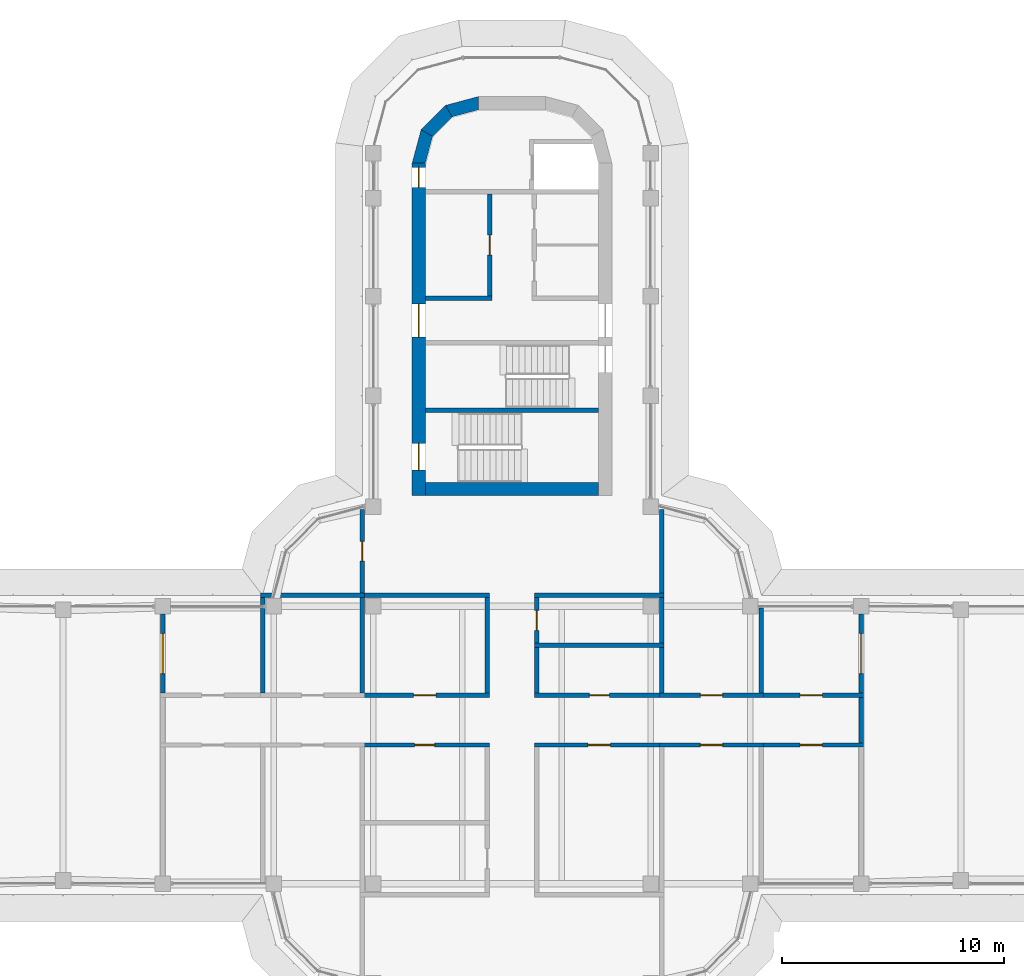
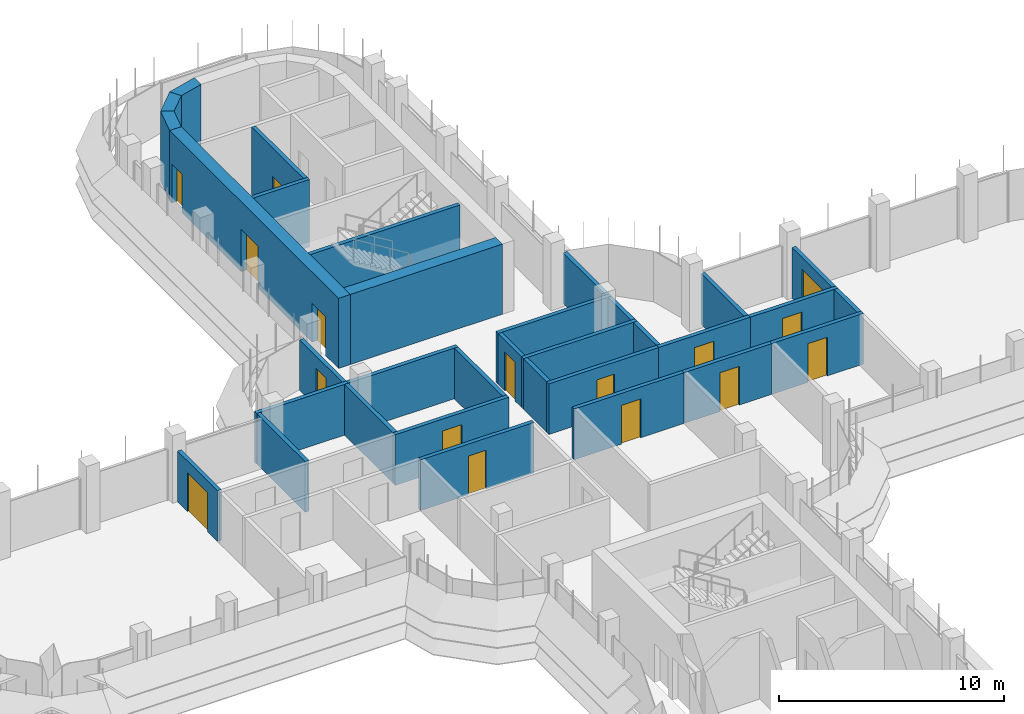
# One storey, part 14 of 18: 33 walls, 16 doors, 16 openings.
"""IFC4 building model written with IfcOpenShell, lengths in metres."""

from ifc_helpers import new_model, si_unit, direction, frame, frame_2d, origin, place, context, subcontext, project, spatial, polyline, rectangle, outline, extrude, material, layer, layer_set, type_object, element, fill, save


model = new_model("IFC4")

# Units and contexts
model_context = context("Model", 3, precision=1e-05, world=origin(), true_north=direction((0.0, 1.0)))
body_context = subcontext(model_context, "Body", "Model", "MODEL_VIEW")
ifc_project = project(units=[si_unit("LENGTHUNIT", "METRE"), si_unit("AREAUNIT", "SQUARE_METRE"), si_unit("VOLUMEUNIT", "CUBIC_METRE"), si_unit("PLANEANGLEUNIT", "RADIAN"), si_unit("MASSUNIT", "GRAM", prefix="KILO")], contexts=[model_context])

# Site, building, storey
site_placement = place(None, origin())
site = spatial("IfcSite", under=ifc_project, at=site_placement, CompositionType="ELEMENT")
building_placement = place(site_placement, origin())
building = spatial("IfcBuilding", under=site, at=building_placement, Name="Zarbagh Exchange Tower", CompositionType="ELEMENT")
storey_placement = place(building_placement, frame((0.0, 0.0, 214.39990234375)))
storey = spatial("IfcBuildingStorey", under=building, at=storey_placement, Name="L52", CompositionType="ELEMENT", Elevation=214.39990234375)

# Wall, opening, door
ifc_material_1 = material(Name="Fire-rated plasterboard partition")
ifc_layer_1 = layer(ifc_material_1, 0.199951171875)
ifc_layer_set_1 = layer_set([ifc_layer_1], Name="RATED PARTITION 200")
wall_type_1 = type_object("IfcWallType", Name="RATED PARTITION 200", PredefinedType="PARTITIONING", material=ifc_layer_set_1)
wall_1_placement = place(storey_placement, frame((1.02490234375, 2.25, 0.0), z_axis=(0.0, 0.0, 1.0), x_axis=(1.0, 0.0, 0.0)))
wall_1 = element("IfcWall", 1, at=wall_1_placement, inside=storey, type_object=wall_type_1, Name="Partition W-2201", PredefinedType="PARTITIONING", context=body_context, shape_type="SweptSolid", body=[
    extrude(rectangle(XDim=5.8251953125, YDim=0.199951171875, at=frame_2d((2.91259765625, 0.0))), origin(), (0.0, 0.0, 1.0), 2.75),
])
opening_1_placement = place(wall_1_placement, frame((2.46240234375, 0.0, 0.0)))
opening_1 = element("IfcOpeningElement", 2, at=opening_1_placement, cuts=wall_1, Name="Opening D-2205", PredefinedType="OPENING", context=body_context, shape_type="SweptSolid", body=[
    extrude(rectangle(XDim=0.89990234375, YDim=2.10009765625, at=frame_2d((0.449951171875, 1.050048828125))), frame((0.0, 0.10986328125, 0.0), z_axis=(0.0, -1.0, 0.0), x_axis=(1.0, 0.0, 0.0)), (0.0, 0.0, 1.0), 0.219970703125),
])
ifc_material_2 = material(Name="Timber door leaf", Category="wood")
door_type_1 = type_object("IfcDoorType", Name="DOOR 900 X 2100", OperationType="NOTDEFINED", PredefinedType="DOOR", material=ifc_material_2)
door_1_placement = place(opening_1_placement, origin())
door_1 = element("IfcDoor", 3, at=door_1_placement, inside=storey, type_object=door_type_1, Name="Door D-2205", OperationType="SINGLE_SWING_RIGHT", OverallHeight=2.10009765625, OverallWidth=0.89990234375, PredefinedType="DOOR", context=body_context, shape_type="SweptSolid", body=[
    extrude(rectangle(XDim=0.89990234375, YDim=2.10009765625, at=frame_2d((0.449951171875, 1.050048828125))), frame((0.0, 0.02490234375, 0.0), z_axis=(0.0, -1.0, 0.0), x_axis=(1.0, 0.0, 0.0)), (0.0, 0.0, 1.0), 0.050048828125),
])
fill(opening_1, door_1)

wall_2_placement = place(storey_placement, frame((6.64990234375, 2.25, 0.0), z_axis=(0.0, 0.0, 1.0), x_axis=(1.0, 0.0, 0.0)))
wall_2 = element("IfcWall", 4, at=wall_2_placement, inside=storey, type_object=wall_type_1, Name="Partition W-2202", PredefinedType="PARTITIONING", context=body_context, shape_type="SweptSolid", body=[
    extrude(rectangle(XDim=4.7001953125, YDim=0.199951171875, at=frame_2d((2.35009765625, 0.0))), origin(), (0.0, 0.0, 1.0), 2.75),
])
opening_2_placement = place(wall_2_placement, frame((1.85009765625, 0.0, 0.0)))
opening_2 = element("IfcOpeningElement", 5, at=opening_2_placement, cuts=wall_2, Name="Opening D-2207", PredefinedType="OPENING", context=body_context, shape_type="SweptSolid", body=[
    extrude(rectangle(XDim=1.0, YDim=2.10009765625, at=frame_2d((0.5, 1.050048828125))), frame((0.0, 0.10986328125, 0.0), z_axis=(0.0, -1.0, 0.0), x_axis=(1.0, 0.0, 0.0)), (0.0, 0.0, 1.0), 0.219970703125),
])
ifc_material_3 = material(Name="Steel door set", Category="steel")
door_type_2 = type_object("IfcDoorType", Name="FIRE DOOR 1000 X 2100 FD30S", OperationType="NOTDEFINED", PredefinedType="DOOR", material=ifc_material_3)
door_2_placement = place(opening_2_placement, origin())
door_2 = element("IfcDoor", 6, at=door_2_placement, inside=storey, type_object=door_type_2, Name="Door D-2207", OperationType="SINGLE_SWING_RIGHT", OverallHeight=2.10009765625, OverallWidth=1.0, PredefinedType="DOOR", context=body_context, shape_type="SweptSolid", body=[
    extrude(rectangle(XDim=1.0, YDim=2.10009765625, at=frame_2d((0.5, 1.050048828125))), frame((0.0, 0.02490234375, 0.0), z_axis=(0.0, -1.0, 0.0), x_axis=(1.0, 0.0, 0.0)), (0.0, 0.0, 1.0), 0.050048828125),
])
fill(opening_2, door_2)

wall_3_placement = place(storey_placement, frame((-6.85009765625, 2.25, 0.0), z_axis=(0.0, 0.0, 1.0), x_axis=(1.0, 0.0, 0.0)))
wall_3 = element("IfcWall", 7, at=wall_3_placement, inside=storey, type_object=wall_type_1, Name="Partition W-2203", PredefinedType="PARTITIONING", context=body_context, shape_type="SweptSolid", body=[
    extrude(rectangle(XDim=5.8251953125, YDim=0.199951171875, at=frame_2d((2.91259765625, 0.0))), origin(), (0.0, 0.0, 1.0), 2.75),
])
opening_3_placement = place(wall_3_placement, frame((2.41259765625, 0.0, 0.0)))
opening_3 = element("IfcOpeningElement", 8, at=opening_3_placement, cuts=wall_3, Name="Opening D-2208", PredefinedType="OPENING", context=body_context, shape_type="SweptSolid", body=[
    extrude(rectangle(XDim=1.0, YDim=2.10009765625, at=frame_2d((0.5, 1.050048828125))), frame((0.0, 0.10986328125, 0.0), z_axis=(0.0, -1.0, 0.0), x_axis=(1.0, 0.0, 0.0)), (0.0, 0.0, 1.0), 0.219970703125),
])
door_3_placement = place(opening_3_placement, origin())
door_3 = element("IfcDoor", 9, at=door_3_placement, inside=storey, type_object=door_type_2, Name="Door D-2208", OperationType="SINGLE_SWING_RIGHT", OverallHeight=2.10009765625, OverallWidth=1.0, PredefinedType="DOOR", context=body_context, shape_type="SweptSolid", body=[
    extrude(rectangle(XDim=1.0, YDim=2.10009765625, at=frame_2d((0.5, 1.050048828125))), frame((0.0, 0.02490234375, 0.0), z_axis=(0.0, -1.0, 0.0), x_axis=(1.0, 0.0, 0.0)), (0.0, 0.0, 1.0), 0.050048828125),
])
fill(opening_3, door_3)

wall_4_placement = place(storey_placement, frame((6.85009765625, 0.0, 0.0), z_axis=(0.0, 0.0, 1.0), x_axis=(-1.0, 0.0, 0.0)))
wall_4 = element("IfcWall", 10, at=wall_4_placement, inside=storey, type_object=wall_type_1, Name="Partition W-2205", PredefinedType="PARTITIONING", context=body_context, shape_type="SweptSolid", body=[
    extrude(rectangle(XDim=5.8251953125, YDim=0.199951171875, at=frame_2d((2.91259765625, 0.0))), origin(), (0.0, 0.0, 1.0), 2.75),
])
opening_4_placement = place(wall_4_placement, frame((2.41259765625, 0.0, 0.0)))
opening_4 = element("IfcOpeningElement", 11, at=opening_4_placement, cuts=wall_4, Name="Opening D-2211", PredefinedType="OPENING", context=body_context, shape_type="SweptSolid", body=[
    extrude(rectangle(XDim=1.0, YDim=2.10009765625, at=frame_2d((0.5, 1.050048828125))), frame((0.0, 0.10986328125, 0.0), z_axis=(0.0, -1.0, 0.0), x_axis=(1.0, 0.0, 0.0)), (0.0, 0.0, 1.0), 0.219970703125),
])
door_4_placement = place(opening_4_placement, origin())
door_4 = element("IfcDoor", 12, at=door_4_placement, inside=storey, type_object=door_type_2, Name="Door D-2211", OperationType="SINGLE_SWING_RIGHT", OverallHeight=2.10009765625, OverallWidth=1.0, PredefinedType="DOOR", context=body_context, shape_type="SweptSolid", body=[
    extrude(rectangle(XDim=1.0, YDim=2.10009765625, at=frame_2d((0.5, 1.050048828125))), frame((0.0, 0.02490234375, 0.0), z_axis=(0.0, -1.0, 0.0), x_axis=(1.0, 0.0, 0.0)), (0.0, 0.0, 1.0), 0.050048828125),
])
fill(opening_4, door_4)

wall_5_placement = place(storey_placement, frame((11.35009765625, 0.0, 0.0), z_axis=(0.0, 0.0, 1.0), x_axis=(-1.0, 0.0, 0.0)))
wall_5 = element("IfcWall", 13, at=wall_5_placement, inside=storey, type_object=wall_type_1, Name="Partition W-2206", PredefinedType="PARTITIONING", context=body_context, shape_type="SweptSolid", body=[
    extrude(rectangle(XDim=4.7001953125, YDim=0.199951171875, at=frame_2d((2.35009765625, 0.0))), origin(), (0.0, 0.0, 1.0), 2.75),
])
opening_5_placement = place(wall_5_placement, frame((1.85009765625, 0.0, 0.0)))
opening_5 = element("IfcOpeningElement", 14, at=opening_5_placement, cuts=wall_5, Name="Opening D-2212", PredefinedType="OPENING", context=body_context, shape_type="SweptSolid", body=[
    extrude(rectangle(XDim=1.0, YDim=2.10009765625, at=frame_2d((0.5, 1.050048828125))), frame((0.0, 0.10986328125, 0.0), z_axis=(0.0, -1.0, 0.0), x_axis=(1.0, 0.0, 0.0)), (0.0, 0.0, 1.0), 0.219970703125),
])
door_5_placement = place(opening_5_placement, origin())
door_5 = element("IfcDoor", 15, at=door_5_placement, inside=storey, type_object=door_type_2, Name="Door D-2212", OperationType="SINGLE_SWING_RIGHT", OverallHeight=2.10009765625, OverallWidth=1.0, PredefinedType="DOOR", context=body_context, shape_type="SweptSolid", body=[
    extrude(rectangle(XDim=1.0, YDim=2.10009765625, at=frame_2d((0.5, 1.050048828125))), frame((0.0, 0.02490234375, 0.0), z_axis=(0.0, -1.0, 0.0), x_axis=(1.0, 0.0, 0.0)), (0.0, 0.0, 1.0), 0.050048828125),
])
fill(opening_5, door_5)

wall_6_placement = place(storey_placement, frame((-1.02490234375, 0.0, 0.0), z_axis=(0.0, 0.0, 1.0), x_axis=(-1.0, 0.0, 0.0)))
wall_6 = element("IfcWall", 16, at=wall_6_placement, inside=storey, type_object=wall_type_1, Name="Partition W-2207", PredefinedType="PARTITIONING", context=body_context, shape_type="SweptSolid", body=[
    extrude(rectangle(XDim=5.8251953125, YDim=0.199951171875, at=frame_2d((2.91259765625, 0.0))), origin(), (0.0, 0.0, 1.0), 2.75),
])
opening_6_placement = place(wall_6_placement, frame((2.46240234375, 0.0, 0.0)))
opening_6 = element("IfcOpeningElement", 17, at=opening_6_placement, cuts=wall_6, Name="Opening D-2213", PredefinedType="OPENING", context=body_context, shape_type="SweptSolid", body=[
    extrude(rectangle(XDim=0.89990234375, YDim=2.10009765625, at=frame_2d((0.449951171875, 1.050048828125))), frame((0.0, 0.10986328125, 0.0), z_axis=(0.0, -1.0, 0.0), x_axis=(1.0, 0.0, 0.0)), (0.0, 0.0, 1.0), 0.219970703125),
])
door_6_placement = place(opening_6_placement, origin())
door_6 = element("IfcDoor", 18, at=door_6_placement, inside=storey, type_object=door_type_1, Name="Door D-2213", OperationType="SINGLE_SWING_RIGHT", OverallHeight=2.10009765625, OverallWidth=0.89990234375, PredefinedType="DOOR", context=body_context, shape_type="SweptSolid", body=[
    extrude(rectangle(XDim=0.89990234375, YDim=2.10009765625, at=frame_2d((0.449951171875, 1.050048828125))), frame((0.0, 0.02490234375, 0.0), z_axis=(0.0, -1.0, 0.0), x_axis=(1.0, 0.0, 0.0)), (0.0, 0.0, 1.0), 0.050048828125),
])
fill(opening_6, door_6)

wall_7_placement = place(storey_placement, frame((11.14990234375, 2.25, 0.0), z_axis=(0.0, 0.0, 1.0), x_axis=(1.0, 0.0, 0.0)))
wall_7 = element("IfcWall", 19, at=wall_7_placement, inside=storey, type_object=wall_type_1, Name="Partition W-2209", PredefinedType="PARTITIONING", context=body_context, shape_type="SweptSolid", body=[
    extrude(rectangle(XDim=4.7001953125, YDim=0.199951171875, at=frame_2d((2.35009765625, 0.0))), origin(), (0.0, 0.0, 1.0), 2.75),
])
opening_7_placement = place(wall_7_placement, frame((1.85009765625, 0.0, 0.0)))
opening_7 = element("IfcOpeningElement", 20, at=opening_7_placement, cuts=wall_7, Name="Opening D-2203", PredefinedType="OPENING", context=body_context, shape_type="SweptSolid", body=[
    extrude(rectangle(XDim=1.0, YDim=2.10009765625, at=frame_2d((0.5, 1.050048828125))), frame((0.0, 0.10986328125, 0.0), z_axis=(0.0, -1.0, 0.0), x_axis=(1.0, 0.0, 0.0)), (0.0, 0.0, 1.0), 0.219970703125),
])
door_7_placement = place(opening_7_placement, origin())
door_7 = element("IfcDoor", 21, at=door_7_placement, inside=storey, type_object=door_type_2, Name="Door D-2203", OperationType="SINGLE_SWING_RIGHT", OverallHeight=2.10009765625, OverallWidth=1.0, PredefinedType="DOOR", context=body_context, shape_type="SweptSolid", body=[
    extrude(rectangle(XDim=1.0, YDim=2.10009765625, at=frame_2d((0.5, 1.050048828125))), frame((0.0, 0.02490234375, 0.0), z_axis=(0.0, -1.0, 0.0), x_axis=(1.0, 0.0, 0.0)), (0.0, 0.0, 1.0), 0.050048828125),
])
fill(opening_7, door_7)

wall_8_placement = place(storey_placement, frame((15.85009765625, 0.0, 0.0), z_axis=(0.0, 0.0, 1.0), x_axis=(-1.0, 0.0, 0.0)))
wall_8 = element("IfcWall", 22, at=wall_8_placement, inside=storey, type_object=wall_type_1, Name="Partition W-2210", PredefinedType="PARTITIONING", context=body_context, shape_type="SweptSolid", body=[
    extrude(rectangle(XDim=4.7001953125, YDim=0.199951171875, at=frame_2d((2.35009765625, 0.0))), origin(), (0.0, 0.0, 1.0), 2.75),
])
opening_8_placement = place(wall_8_placement, frame((1.85009765625, 0.0, 0.0)))
opening_8 = element("IfcOpeningElement", 23, at=opening_8_placement, cuts=wall_8, Name="Opening D-2204", PredefinedType="OPENING", context=body_context, shape_type="SweptSolid", body=[
    extrude(rectangle(XDim=1.0, YDim=2.10009765625, at=frame_2d((0.5, 1.050048828125))), frame((0.0, 0.10986328125, 0.0), z_axis=(0.0, -1.0, 0.0), x_axis=(1.0, 0.0, 0.0)), (0.0, 0.0, 1.0), 0.219970703125),
])
door_8_placement = place(opening_8_placement, origin())
door_8 = element("IfcDoor", 24, at=door_8_placement, inside=storey, type_object=door_type_2, Name="Door D-2204", OperationType="SINGLE_SWING_RIGHT", OverallHeight=2.10009765625, OverallWidth=1.0, PredefinedType="DOOR", context=body_context, shape_type="SweptSolid", body=[
    extrude(rectangle(XDim=1.0, YDim=2.10009765625, at=frame_2d((0.5, 1.050048828125))), frame((0.0, 0.02490234375, 0.0), z_axis=(0.0, -1.0, 0.0), x_axis=(1.0, 0.0, 0.0)), (0.0, 0.0, 1.0), 0.050048828125),
])
fill(opening_8, door_8)

# Walls
for number, where, z_axis, x_axis, name in (
    (25, (15.75, 0.10009765625, 0.0), (0.0, 0.0, 1.0), (0.0, 1.0, 0.0), "Partition W-2211"),
    (26, (1.125, 2.35009765625, 0.0), (0.0, 0.0, 1.0), (0.0, 1.0, 0.0), "Partition W-2215"),
):
    element("IfcWall", number, at=place(storey_placement, frame(where, z_axis=z_axis, x_axis=x_axis)), inside=storey, type_object=wall_type_1, Name=name, PredefinedType="PARTITIONING", context=body_context, shape_type="SweptSolid", body=[
        extrude(rectangle(XDim=2.0498046875, YDim=0.199951171875, at=frame_2d((1.02490234375, 0.0))), origin(), (0.0, 0.0, 1.0), 2.75),
    ])

# Wall, opening, door
wall_9_placement = place(storey_placement, frame((1.125, 6.64990234375, 0.0), z_axis=(0.0, 0.0, 1.0), x_axis=(0.0, -1.0, 0.0)))
wall_9 = element("IfcWall", 27, at=wall_9_placement, inside=storey, type_object=wall_type_1, Name="Partition W-2216", PredefinedType="PARTITIONING", context=body_context, shape_type="SweptSolid", body=[
    extrude(rectangle(XDim=2.0498046875, YDim=0.199951171875, at=frame_2d((1.02490234375, 0.0))), origin(), (0.0, 0.0, 1.0), 2.75),
])
opening_9_placement = place(wall_9_placement, frame((0.574951171875, 0.0, 0.0)))
opening_9 = element("IfcOpeningElement", 28, at=opening_9_placement, cuts=wall_9, Name="Opening D-2206", PredefinedType="OPENING", context=body_context, shape_type="SweptSolid", body=[
    extrude(rectangle(XDim=0.89990234375, YDim=2.10009765625, at=frame_2d((0.449951171875, 1.050048828125))), frame((0.0, 0.10986328125, 0.0), z_axis=(0.0, -1.0, 0.0), x_axis=(1.0, 0.0, 0.0)), (0.0, 0.0, 1.0), 0.219970703125),
])
door_9_placement = place(opening_9_placement, origin())
door_9 = element("IfcDoor", 29, at=door_9_placement, inside=storey, type_object=door_type_1, Name="Door D-2206", OperationType="SINGLE_SWING_RIGHT", OverallHeight=2.10009765625, OverallWidth=0.89990234375, PredefinedType="DOOR", context=body_context, shape_type="SweptSolid", body=[
    extrude(rectangle(XDim=0.89990234375, YDim=2.10009765625, at=frame_2d((0.449951171875, 1.050048828125))), frame((0.0, 0.02490234375, 0.0), z_axis=(0.0, -1.0, 0.0), x_axis=(1.0, 0.0, 0.0)), (0.0, 0.0, 1.0), 0.050048828125),
])
fill(opening_9, door_9)

# Walls
wall_10_placement = place(storey_placement, frame((-1.125, 2.35009765625, 0.0), z_axis=(0.0, 0.0, 1.0), x_axis=(0.0, 1.0, 0.0)))
element("IfcWall", 30, at=wall_10_placement, inside=storey, type_object=wall_type_1, Name="Partition W-2217", PredefinedType="PARTITIONING", context=body_context, shape_type="SweptSolid", body=[
    extrude(rectangle(XDim=4.2998046875, YDim=0.199951171875, at=frame_2d((2.14990234375, 0.0))), origin(), (0.0, 0.0, 1.0), 2.75),
])
wall_11_placement = place(storey_placement, frame((1.02490234375, 6.75, 0.0), z_axis=(0.0, 0.0, 1.0), x_axis=(1.0, 0.0, 0.0)))
element("IfcWall", 31, at=wall_11_placement, inside=storey, type_object=wall_type_1, Name="Partition W-2221", PredefinedType="PARTITIONING", context=body_context, shape_type="SweptSolid", body=[
    extrude(rectangle(XDim=5.8251953125, YDim=0.199951171875, at=frame_2d((2.91259765625, 0.0))), origin(), (0.0, 0.0, 1.0), 2.75),
])
wall_12_placement = place(storey_placement, frame((6.75, 6.85009765625, 0.0), z_axis=(0.0, 0.0, 1.0), x_axis=(0.0, 1.0, 0.0)))
element("IfcWall", 32, at=wall_12_placement, inside=storey, type_object=wall_type_1, Name="Partition W-2222", PredefinedType="PARTITIONING", context=body_context, shape_type="SweptSolid", body=[
    extrude(rectangle(XDim=3.77978515625, YDim=0.199951171875, at=frame_2d((1.889892578125, 0.0))), origin(), (0.0, 0.0, 1.0), 2.75),
])
wall_13_placement = place(storey_placement, frame((-6.85009765625, 6.75, 0.0), z_axis=(0.0, 0.0, 1.0), x_axis=(1.0, 0.0, 0.0)))
element("IfcWall", 33, at=wall_13_placement, inside=storey, type_object=wall_type_1, Name="Partition W-2223", PredefinedType="PARTITIONING", context=body_context, shape_type="SweptSolid", body=[
    extrude(rectangle(XDim=5.8251953125, YDim=0.199951171875, at=frame_2d((2.91259765625, 0.0))), origin(), (0.0, 0.0, 1.0), 2.75),
])

# Wall, opening, door
wall_14_placement = place(storey_placement, frame((-6.75, 6.85009765625, 0.0), z_axis=(0.0, 0.0, 1.0), x_axis=(0.0, 1.0, 0.0)))
wall_14 = element("IfcWall", 34, at=wall_14_placement, inside=storey, type_object=wall_type_1, Name="Partition W-2224", PredefinedType="PARTITIONING", context=body_context, shape_type="SweptSolid", body=[
    extrude(rectangle(XDim=3.77978515625, YDim=0.199951171875, at=frame_2d((1.889892578125, 0.0))), origin(), (0.0, 0.0, 1.0), 2.75),
])
opening_10_placement = place(wall_14_placement, frame((1.43994140625, 0.0, 0.0)))
opening_10 = element("IfcOpeningElement", 35, at=opening_10_placement, cuts=wall_14, Name="Opening D-2210", PredefinedType="OPENING", context=body_context, shape_type="SweptSolid", body=[
    extrude(rectangle(XDim=0.89990234375, YDim=2.10009765625, at=frame_2d((0.449951171875, 1.050048828125))), frame((0.0, 0.10986328125, 0.0), z_axis=(0.0, -1.0, 0.0), x_axis=(1.0, 0.0, 0.0)), (0.0, 0.0, 1.0), 0.219970703125),
])
door_10_placement = place(opening_10_placement, origin())
door_10 = element("IfcDoor", 36, at=door_10_placement, inside=storey, type_object=door_type_1, Name="Door D-2210", OperationType="SINGLE_SWING_LEFT", OverallHeight=2.10009765625, OverallWidth=0.89990234375, PredefinedType="DOOR", context=body_context, shape_type="SweptSolid", body=[
    extrude(rectangle(XDim=0.89990234375, YDim=2.10009765625, at=frame_2d((0.449951171875, 1.050048828125))), frame((0.0, 0.02490234375, 0.0), z_axis=(0.0, -1.0, 0.0), x_axis=(1.0, 0.0, 0.0)), (0.0, 0.0, 1.0), 0.050048828125),
])
fill(opening_10, door_10)

# Walls
wall_15_placement = place(storey_placement, frame((1.02490234375, 4.5, 0.0), z_axis=(0.0, 0.0, 1.0), x_axis=(1.0, 0.0, 0.0)))
element("IfcWall", 37, at=wall_15_placement, inside=storey, type_object=wall_type_1, Name="Partition W-2229", PredefinedType="PARTITIONING", context=body_context, shape_type="SweptSolid", body=[
    extrude(rectangle(XDim=5.8251953125, YDim=0.199951171875, at=frame_2d((2.91259765625, 0.0))), origin(), (0.0, 0.0, 1.0), 2.75),
])
for number, where, z_axis, x_axis, name in (
    (38, (6.75, 2.35009765625, 0.0), (0.0, 0.0, 1.0), (0.0, 1.0, 0.0), "Partition W-2230"),
    (39, (6.75, 4.60009765625, 0.0), (0.0, 0.0, 1.0), (0.0, 1.0, 0.0), "Partition W-2231"),
):
    element("IfcWall", number, at=place(storey_placement, frame(where, z_axis=z_axis, x_axis=x_axis)), inside=storey, type_object=wall_type_1, Name=name, PredefinedType="PARTITIONING", context=body_context, shape_type="SweptSolid", body=[
        extrude(rectangle(XDim=2.0498046875, YDim=0.199951171875, at=frame_2d((1.02490234375, 0.0))), origin(), (0.0, 0.0, 1.0), 2.75),
    ])
wall_16_placement = place(storey_placement, frame((11.25, 2.35009765625, 0.0), z_axis=(0.0, 0.0, 1.0), x_axis=(0.0, 1.0, 0.0)))
element("IfcWall", 40, at=wall_16_placement, inside=storey, type_object=wall_type_1, Name="Partition W-2232", PredefinedType="PARTITIONING", context=body_context, shape_type="SweptSolid", body=[
    extrude(rectangle(XDim=3.81982421875, YDim=0.199951171875, at=frame_2d((1.909912109375, 0.0))), origin(), (0.0, 0.0, 1.0), 2.75),
])
wall_17_placement = place(storey_placement, frame((-6.75, 2.35009765625, 0.0), z_axis=(0.0, 0.0, 1.0), x_axis=(0.0, 1.0, 0.0)))
element("IfcWall", 41, at=wall_17_placement, inside=storey, type_object=wall_type_1, Name="Partition W-2233", PredefinedType="PARTITIONING", context=body_context, shape_type="SweptSolid", body=[
    extrude(rectangle(XDim=4.2998046875, YDim=0.199951171875, at=frame_2d((2.14990234375, 0.0))), origin(), (0.0, 0.0, 1.0), 2.75),
])
wall_18_placement = place(storey_placement, frame((-11.35009765625, 6.75, 0.0), z_axis=(0.0, 0.0, 1.0), x_axis=(1.0, 0.0, 0.0)))
element("IfcWall", 42, at=wall_18_placement, inside=storey, type_object=wall_type_1, Name="Partition W-2234", PredefinedType="PARTITIONING", context=body_context, shape_type="SweptSolid", body=[
    extrude(rectangle(XDim=4.7001953125, YDim=0.199951171875, at=frame_2d((2.35009765625, 0.0))), origin(), (0.0, 0.0, 1.0), 2.75),
])
wall_19_placement = place(storey_placement, frame((-11.25, 2.35009765625, 0.0), z_axis=(0.0, 0.0, 1.0), x_axis=(0.0, 1.0, 0.0)))
element("IfcWall", 43, at=wall_19_placement, inside=storey, type_object=wall_type_1, Name="Partition W-2235", PredefinedType="PARTITIONING", context=body_context, shape_type="SweptSolid", body=[
    extrude(rectangle(XDim=4.2998046875, YDim=0.199951171875, at=frame_2d((2.14990234375, 0.0))), origin(), (0.0, 0.0, 1.0), 2.75),
])

# Wall, opening, door
wall_20_placement = place(storey_placement, frame((15.75, 5.89990234375, 0.0), z_axis=(0.0, 0.0, 1.0), x_axis=(0.0, -1.0, 0.0)))
wall_20 = element("IfcWall", 44, at=wall_20_placement, inside=storey, type_object=wall_type_1, Name="Partition W-2242", PredefinedType="PARTITIONING", context=body_context, shape_type="SweptSolid", body=[
    extrude(rectangle(XDim=3.5498046875, YDim=0.199951171875, at=frame_2d((1.77490234375, 0.0))), origin(), (0.0, 0.0, 1.0), 2.75),
])
opening_11_placement = place(wall_20_placement, frame((0.875, 0.0, 0.0)))
opening_11 = element("IfcOpeningElement", 45, at=opening_11_placement, cuts=wall_20, Name="Opening D-2202", PredefinedType="OPENING", context=body_context, shape_type="SweptSolid", body=[
    extrude(rectangle(XDim=1.800048828125, YDim=2.10009765625, at=frame_2d((0.89990234375, 1.050048828125))), frame((0.0, 0.10986328125, 0.0), z_axis=(0.0, -1.0, 0.0), x_axis=(1.0, 0.0, 0.0)), (0.0, 0.0, 1.0), 0.219970703125),
])
door_type_3 = type_object("IfcDoorType", Name="FIRE DOUBLE DOOR 1800 X 2100 FD30S", OperationType="DOUBLE_DOOR_SINGLE_SWING", PredefinedType="DOOR", material=ifc_material_3)
door_11_placement = place(opening_11_placement, origin())
door_11 = element("IfcDoor", 46, at=door_11_placement, inside=storey, type_object=door_type_3, Name="Door D-2202", OperationType="DOUBLE_DOOR_SINGLE_SWING", OverallHeight=2.10009765625, OverallWidth=1.800048828125, PredefinedType="DOOR", context=body_context, shape_type="SweptSolid", body=[
    extrude(rectangle(XDim=1.800048828125, YDim=2.10009765625, at=frame_2d((0.89990234375, 1.050048828125))), frame((0.0, 0.02490234375, 0.0), z_axis=(0.0, -1.0, 0.0), x_axis=(1.0, 0.0, 0.0)), (0.0, 0.0, 1.0), 0.050048828125),
])
fill(opening_11, door_11)

wall_21_placement = place(storey_placement, frame((-15.75, 2.35009765625, 0.0), z_axis=(0.0, 0.0, 1.0), x_axis=(0.0, 1.0, 0.0)))
wall_21 = element("IfcWall", 47, at=wall_21_placement, inside=storey, type_object=wall_type_1, Name="Partition W-2245", PredefinedType="PARTITIONING", context=body_context, shape_type="SweptSolid", body=[
    extrude(rectangle(XDim=3.5498046875, YDim=0.199951171875, at=frame_2d((1.77490234375, 0.0))), origin(), (0.0, 0.0, 1.0), 2.75),
])
opening_12_placement = place(wall_21_placement, frame((0.875, 0.0, 0.0)))
opening_12 = element("IfcOpeningElement", 48, at=opening_12_placement, cuts=wall_21, Name="Opening D-2216", PredefinedType="OPENING", context=body_context, shape_type="SweptSolid", body=[
    extrude(rectangle(XDim=1.800048828125, YDim=2.10009765625, at=frame_2d((0.89990234375, 1.050048828125))), frame((0.0, 0.10986328125, 0.0), z_axis=(0.0, -1.0, 0.0), x_axis=(1.0, 0.0, 0.0)), (0.0, 0.0, 1.0), 0.219970703125),
])
door_12_placement = place(opening_12_placement, origin())
door_12 = element("IfcDoor", 49, at=door_12_placement, inside=storey, type_object=door_type_3, Name="Door D-2216", OperationType="DOUBLE_DOOR_SINGLE_SWING", OverallHeight=2.10009765625, OverallWidth=1.800048828125, PredefinedType="DOOR", context=body_context, shape_type="SweptSolid", body=[
    extrude(rectangle(XDim=1.800048828125, YDim=2.10009765625, at=frame_2d((0.89990234375, 1.050048828125))), frame((0.0, 0.02490234375, 0.0), z_axis=(0.0, -1.0, 0.0), x_axis=(1.0, 0.0, 0.0)), (0.0, 0.0, 1.0), 0.050048828125),
])
fill(opening_12, door_12)

# Walls
ifc_material_4 = material(Name="Concrete C50/60", Category="concrete")
ifc_layer_2 = layer(ifc_material_4, 0.60009765625)
ifc_layer_set_2 = layer_set([ifc_layer_2], Name="RC core corner wall 600 C50/60")
wall_type_2 = type_object("IfcWallType", Name="RC core corner wall 600 C50/60", PredefinedType="SHEAR", material=ifc_layer_set_2)
wall_22_placement = place(storey_placement, origin())
element("IfcWall", 50, at=wall_22_placement, inside=storey, type_object=wall_type_2, Name="CW8 core N corner W", PredefinedType="SHEAR", context=body_context, shape_type="SweptSolid", body=[
    extrude(outline(polyline([(-4.5, 26.25), (-4.09814453125, 27.75), (-3.57861328125, 27.449951171875), (-3.89990234375, 26.25), (-4.5, 26.25)])), origin(), (0.0, 0.0, 1.0), 3.800048828125),
])
wall_23_placement = place(storey_placement, origin())
element("IfcWall", 51, at=wall_23_placement, inside=storey, type_object=wall_type_2, Name="CW8 core N corner W", PredefinedType="SHEAR", context=body_context, shape_type="SweptSolid", body=[
    extrude(outline(polyline([(-4.09814453125, 27.75), (-3.0, 28.84814453125), (-2.699951171875, 28.32861328125), (-3.57861328125, 27.449951171875), (-4.09814453125, 27.75)])), origin(), (0.0, 0.0, 1.0), 3.800048828125),
])
wall_24_placement = place(storey_placement, origin())
element("IfcWall", 52, at=wall_24_placement, inside=storey, type_object=wall_type_2, Name="CW8 core N corner W", PredefinedType="SHEAR", context=body_context, shape_type="SweptSolid", body=[
    extrude(outline(polyline([(-3.0, 28.84814453125), (-1.5, 29.25), (-1.5, 28.64990234375), (-2.699951171875, 28.32861328125), (-3.0, 28.84814453125)])), origin(), (0.0, 0.0, 1.0), 3.800048828125),
])

# Wall, openings, doors
ifc_layer_3 = layer(ifc_material_4, 0.60009765625)
ifc_layer_set_3 = layer_set([ifc_layer_3], Name="RC core wall 600 C50/60")
wall_type_3 = type_object("IfcWallType", Name="RC core wall 600 C50/60", PredefinedType="SHEAR", material=ifc_layer_set_3)
wall_25_placement = place(storey_placement, frame((-4.199951171875, 11.25, 0.0), z_axis=(0.0, 0.0, 1.0), x_axis=(0.0, 1.0, 0.0)))
wall_25 = element("IfcWall", 53, at=wall_25_placement, inside=storey, type_object=wall_type_3, Name="CW7 core N W", PredefinedType="SHEAR", context=body_context, shape_type="SweptSolid", body=[
    extrude(rectangle(XDim=15.0, YDim=0.60009765625, at=frame_2d((7.5, 0.0))), origin(), (0.0, 0.0, 1.0), 3.800048828125),
])
opening_13_placement = place(wall_25_placement, frame((7.14990234375, 0.0, 0.0)))
opening_13 = element("IfcOpeningElement", 54, at=opening_13_placement, cuts=wall_25, Name="Opening CD1-1500", PredefinedType="OPENING", context=body_context, shape_type="SweptSolid", body=[
    extrude(rectangle(XDim=1.5, YDim=2.300048828125, at=frame_2d((0.75, 1.14990234375))), frame((0.0, 0.31005859375, 0.0), z_axis=(0.0, -1.0, 0.0), x_axis=(1.0, 0.0, 0.0)), (0.0, 0.0, 1.0), 0.6201171875),
])
opening_14_placement = place(wall_25_placement, frame((13.89990234375, 0.0, 0.0)))
opening_14 = element("IfcOpeningElement", 55, at=opening_14_placement, cuts=wall_25, Name="Opening CD2-900", PredefinedType="OPENING", context=body_context, shape_type="SweptSolid", body=[
    extrude(rectangle(XDim=0.89990234375, YDim=2.10009765625, at=frame_2d((0.449951171875, 1.050048828125))), frame((0.0, 0.31005859375, 0.0), z_axis=(0.0, -1.0, 0.0), x_axis=(1.0, 0.0, 0.0)), (0.0, 0.0, 1.0), 0.6201171875),
])
opening_15_placement = place(wall_25_placement, frame((1.14990234375, 0.0, 0.0)))
opening_15 = element("IfcOpeningElement", 56, at=opening_15_placement, cuts=wall_25, Name="Opening SD1-1200", PredefinedType="OPENING", context=body_context, shape_type="SweptSolid", body=[
    extrude(rectangle(XDim=1.199951171875, YDim=2.10009765625, at=frame_2d((0.60009765625, 1.050048828125))), frame((0.0, 0.31005859375, 0.0), z_axis=(0.0, -1.0, 0.0), x_axis=(1.0, 0.0, 0.0)), (0.0, 0.0, 1.0), 0.6201171875),
])
ifc_material_5 = material(Name="Steel", Category="steel")
door_type_4 = type_object("IfcDoorType", Name="Exit stair door 1200 x 2100", OperationType="NOTDEFINED", PredefinedType="DOOR", material=ifc_material_5)
door_13_placement = place(opening_15_placement, origin())
door_13 = element("IfcDoor", 57, at=door_13_placement, inside=storey, type_object=door_type_4, Name="North core stair door ST2", OperationType="SINGLE_SWING_LEFT", OverallHeight=2.10009765625, OverallWidth=1.199951171875, PredefinedType="DOOR", context=body_context, shape_type="SweptSolid", body=[
    extrude(rectangle(XDim=1.199951171875, YDim=2.10009765625, at=frame_2d((0.60009765625, 1.050048828125))), frame((0.0, 0.02490234375, 0.0), z_axis=(0.0, -1.0, 0.0), x_axis=(1.0, 0.0, 0.0)), (0.0, 0.0, 1.0), 0.050048828125),
])
fill(opening_15, door_13)
door_type_5 = type_object("IfcDoorType", Name="Firefighting lobby door 900 x 2100", OperationType="NOTDEFINED", PredefinedType="DOOR", material=ifc_material_5)
door_14_placement = place(opening_14_placement, origin())
door_14 = element("IfcDoor", 58, at=door_14_placement, inside=storey, type_object=door_type_5, Name="North core firefighting lobby door FF-W", OperationType="SINGLE_SWING_LEFT", OverallHeight=2.10009765625, OverallWidth=0.89990234375, PredefinedType="DOOR", context=body_context, shape_type="SweptSolid", body=[
    extrude(rectangle(XDim=0.89990234375, YDim=2.10009765625, at=frame_2d((0.449951171875, 1.050048828125))), frame((0.0, 0.02490234375, 0.0), z_axis=(0.0, -1.0, 0.0), x_axis=(1.0, 0.0, 0.0)), (0.0, 0.0, 1.0), 0.050048828125),
])
fill(opening_14, door_14)
door_type_6 = type_object("IfcDoorType", Name="Lift lobby double door 1500 x 2300", OperationType="NOTDEFINED", PredefinedType="DOOR", material=ifc_material_5)
door_15_placement = place(opening_13_placement, origin())
door_15 = element("IfcDoor", 59, at=door_15_placement, inside=storey, type_object=door_type_6, Name="North core lift lobby door LOBBY-W", OperationType="DOUBLE_DOOR_SINGLE_SWING", OverallHeight=2.300048828125, OverallWidth=1.5, PredefinedType="DOOR", context=body_context, shape_type="SweptSolid", body=[
    extrude(rectangle(XDim=1.5, YDim=2.300048828125, at=frame_2d((0.75, 1.14990234375))), frame((0.0, 0.02490234375, 0.0), z_axis=(0.0, -1.0, 0.0), x_axis=(1.0, 0.0, 0.0)), (0.0, 0.0, 1.0), 0.050048828125),
])
fill(opening_13, door_15)

# Walls
wall_26_placement = place(storey_placement, frame((-3.89990234375, 11.550048828125, 0.0), z_axis=(0.0, 0.0, 1.0), x_axis=(1.0, 0.0, 0.0)))
element("IfcWall", 60, at=wall_26_placement, inside=storey, type_object=wall_type_3, Name="CW7 core N inner end", PredefinedType="SHEAR", context=body_context, shape_type="SweptSolid", body=[
    extrude(rectangle(XDim=7.7998046875, YDim=0.60009765625, at=frame_2d((3.89990234375, 0.0))), origin(), (0.0, 0.0, 1.0), 3.800048828125),
])
ifc_material_6 = material(Name="Dense blockwork", Category="masonry")
ifc_layer_4 = layer(ifc_material_6, 0.199951171875)
ifc_layer_set_4 = layer_set([ifc_layer_4], Name="Shaft wall 200 mm blockwork")
wall_type_4 = type_object("IfcWallType", Name="Shaft wall 200 mm blockwork", PredefinedType="PARTITIONING", material=ifc_layer_set_4)
wall_27_placement = place(storey_placement, frame((-3.89990234375, 20.14990234375, 0.0), z_axis=(0.0, 0.0, 1.0), x_axis=(1.0, 0.0, 0.0)))
element("IfcWall", 61, at=wall_27_placement, inside=storey, type_object=wall_type_4, Name="North core shaft wall AB-W", PredefinedType="PARTITIONING", context=body_context, shape_type="SweptSolid", body=[
    extrude(rectangle(XDim=3.0, YDim=0.199951171875, at=frame_2d((1.5, 0.0))), origin(), (0.0, 0.0, 1.0), 3.650146484375),
])

# Wall, opening, door
wall_28_placement = place(storey_placement, frame((-1.0, 24.85009765625, 0.0), z_axis=(0.0, 0.0, 1.0), x_axis=(0.0, -1.0, 0.0)))
wall_28 = element("IfcWall", 62, at=wall_28_placement, inside=storey, type_object=wall_type_4, Name="North core shaft wall LW-W", PredefinedType="PARTITIONING", context=body_context, shape_type="SweptSolid", body=[
    extrude(rectangle(XDim=4.60009765625, YDim=0.199951171875, at=frame_2d((2.300048828125, 0.0))), origin(), (0.0, 0.0, 1.0), 3.650146484375),
])
opening_16_placement = place(wall_28_placement, frame((1.85009765625, 0.0, 0.0)))
opening_16 = element("IfcOpeningElement", 63, at=opening_16_placement, cuts=wall_28, Name="Opening CD3-900", PredefinedType="OPENING", context=body_context, shape_type="SweptSolid", body=[
    extrude(rectangle(XDim=0.89990234375, YDim=2.10009765625, at=frame_2d((0.449951171875, 1.050048828125))), frame((0.0, 0.10986328125, 0.0), z_axis=(0.0, -1.0, 0.0), x_axis=(1.0, 0.0, 0.0)), (0.0, 0.0, 1.0), 0.219970703125),
])
door_type_7 = type_object("IfcDoorType", Name="Core room door 900 x 2100", OperationType="NOTDEFINED", PredefinedType="DOOR", material=ifc_material_5)
door_16_placement = place(opening_16_placement, origin())
door_16 = element("IfcDoor", 64, at=door_16_placement, inside=storey, type_object=door_type_7, Name="North core Riser store door RD-W-0", OperationType="SINGLE_SWING_LEFT", OverallHeight=2.10009765625, OverallWidth=0.89990234375, PredefinedType="DOOR", context=body_context, shape_type="SweptSolid", body=[
    extrude(rectangle(XDim=0.89990234375, YDim=2.10009765625, at=frame_2d((0.449951171875, 1.050048828125))), frame((0.0, 0.02490234375, 0.0), z_axis=(0.0, -1.0, 0.0), x_axis=(1.0, 0.0, 0.0)), (0.0, 0.0, 1.0), 0.050048828125),
])
fill(opening_16, door_16)

# Wall
ifc_material_7 = material(Name="Concrete C40/50", Category="concrete")
ifc_layer_5 = layer(ifc_material_7, 0.199951171875)
ifc_layer_set_5 = layer_set([ifc_layer_5], Name="Stair enclosure wall 200 mm RC C40/50")
wall_type_5 = type_object("IfcWallType", Name="Stair enclosure wall 200 mm RC C40/50", PredefinedType="SHEAR", material=ifc_layer_set_5)
wall_29_placement = place(storey_placement, frame((-3.89990234375, 15.10009765625, 0.0), z_axis=(0.0, 0.0, 1.0), x_axis=(1.0, 0.0, 0.0)))
element("IfcWall", 65, at=wall_29_placement, inside=storey, type_object=wall_type_5, Name="North core stair wall ST12", PredefinedType="SHEAR", context=body_context, shape_type="SweptSolid", body=[
    extrude(rectangle(XDim=7.7998046875, YDim=0.199951171875, at=frame_2d((3.89990234375, 0.0))), origin(), (0.0, 0.0, 1.0), 3.650146484375),
])

save(model, "model.ifc")
